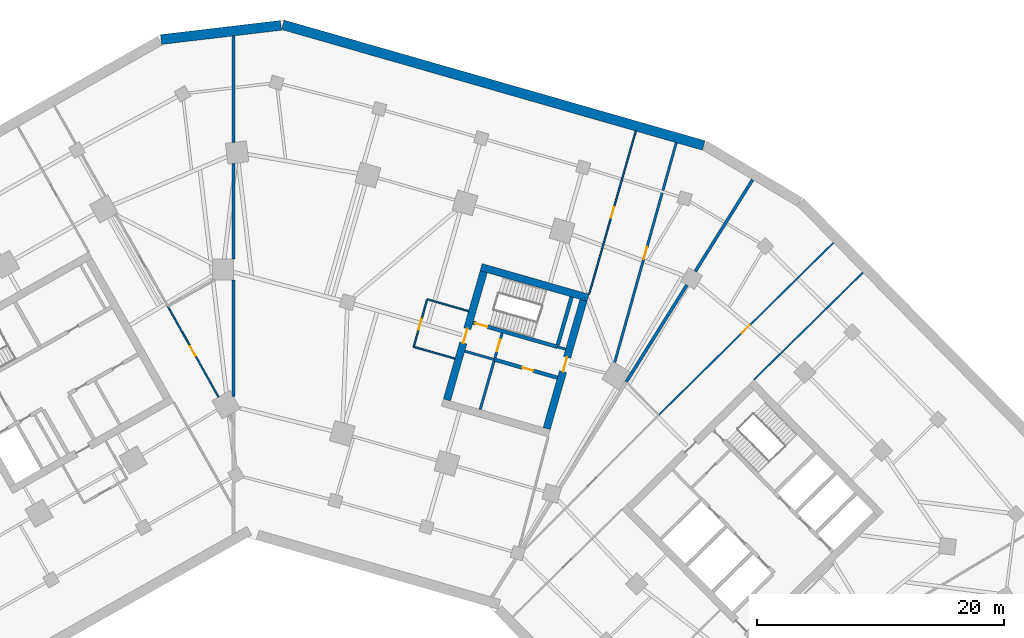
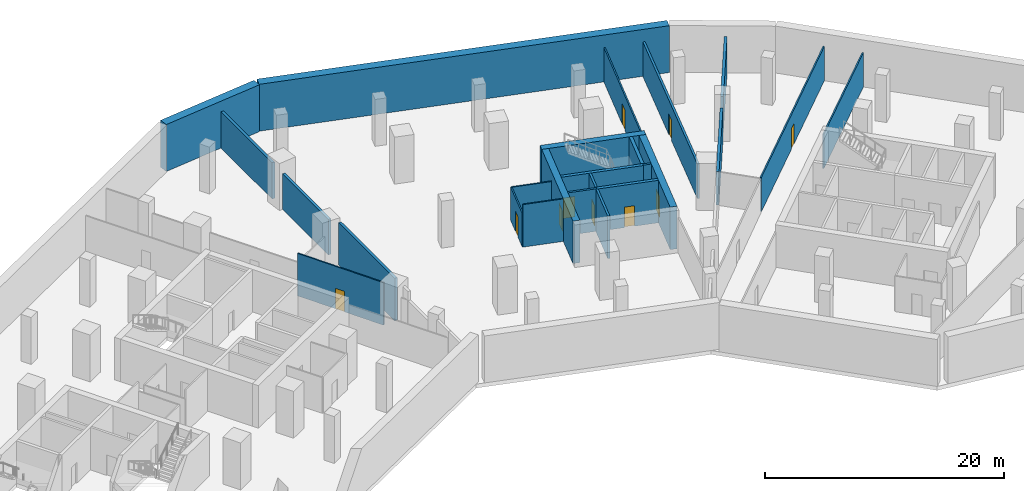
# One storey, part 10 of 13: 25 walls, 10 doors, 10 openings.
"""IFC4 building model written with IfcOpenShell, lengths in metres."""

from ifc_helpers import new_model, si_unit, direction, frame, frame_2d, origin, place, context, subcontext, project, spatial, rectangle, extrude, material, layer, layer_set, type_object, element, fill, save


model = new_model("IFC4")

# Units and contexts
model_context = context("Model", 3, precision=1e-05, world=origin(), true_north=direction((0.0, 1.0)))
body_context = subcontext(model_context, "Body", "Model", "MODEL_VIEW")
ifc_project = project(units=[si_unit("LENGTHUNIT", "METRE"), si_unit("AREAUNIT", "SQUARE_METRE"), si_unit("VOLUMEUNIT", "CUBIC_METRE"), si_unit("PLANEANGLEUNIT", "RADIAN"), si_unit("MASSUNIT", "GRAM", prefix="KILO")], contexts=[model_context])

# Site, building, storey
site_placement = place(None, origin())
site = spatial("IfcSite", under=ifc_project, at=site_placement, CompositionType="ELEMENT")
building_placement = place(site_placement, origin())
building = spatial("IfcBuilding", under=site, at=building_placement, Name="Binnacle Exchange Tower", CompositionType="ELEMENT")
storey_placement = place(building_placement, frame((0.0, 0.0, -4.800048828125)))
storey = spatial("IfcBuildingStorey", under=building, at=storey_placement, Name="B1", CompositionType="ELEMENT", Elevation=-4.800048828125)

# Walls
ifc_material_1 = material(Name="Concrete C40/50", Category="concrete")
ifc_layer_1 = layer(ifc_material_1, 0.800048828125)
ifc_layer_set_1 = layer_set([ifc_layer_1], Name="Basement retaining wall 800 Concrete C40/50")
wall_type_1 = type_object("IfcWallType", Name="Basement retaining wall 800 Concrete C40/50", PredefinedType="SOLIDWALL", material=ifc_layer_set_1)
wall_1_placement = place(storey_placement, frame((38.06201171875, 70.032470703125, 0.0), z_axis=(0.0, 0.0, 1.0), x_axis=(-0.961260654426, 0.275640987977, 0.0)))
element("IfcWall", 1, at=wall_1_placement, inside=storey, type_object=wall_type_1, Name="S:RW:B1:02", PredefinedType="SOLIDWALL", context=body_context, shape_type="SweptSolid", body=[
    extrude(rectangle(XDim=35.43505859375, YDim=0.800048828125, at=frame_2d((17.717529296875, 0.0))), origin(), (0.0, 0.0, 1.0), 4.800048828125),
])
wall_2_placement = place(storey_placement, frame((3.848388671875, 79.752685546875, 0.0), z_axis=(0.0, 0.0, 1.0), x_axis=(-0.993067076287, -0.117549062072, 0.0)))
element("IfcWall", 2, at=wall_2_placement, inside=storey, type_object=wall_type_1, Name="S:RW:B1:03", PredefinedType="SOLIDWALL", context=body_context, shape_type="SweptSolid", body=[
    extrude(rectangle(XDim=9.765625, YDim=0.800048828125, at=frame_2d((4.8828125, 0.0))), origin(), (0.0, 0.0, 1.0), 4.800048828125),
])

# Wall, opening, door
ifc_material_2 = material(Name="Concrete C70/85", Category="concrete")
ifc_layer_2 = layer(ifc_material_2, 0.300048828125)
ifc_layer_set_2 = layer_set([ifc_layer_2], Name="Core wall - front 300")
wall_type_2 = type_object("IfcWallType", Name="Core wall - front 300", PredefinedType="SOLIDWALL", material=ifc_layer_set_2)
wall_3_placement = place(storey_placement, frame((21.130859375, 52.6923828125, 0.0), z_axis=(0.0, 0.0, 1.0), x_axis=(0.961271492568, -0.275603188616, 0.0)))
wall_3 = element("IfcWall", 3, at=wall_3_placement, inside=storey, type_object=wall_type_2, Name="Core wall CRWD3", PredefinedType="SOLIDWALL", context=body_context, shape_type="SweptSolid", body=[
    extrude(rectangle(XDim=5.300048828125, YDim=0.300048828125, at=frame_2d((2.64990234375, 0.0))), origin(), (0.0, 0.0, 1.0), 4.35009765625),
])
opening_1_placement = place(wall_3_placement, frame((2.35009765625, 0.0, 0.0)))
opening_1 = element("IfcOpeningElement", 4, at=opening_1_placement, cuts=wall_3, Name="Opening DD10", PredefinedType="OPENING", context=body_context, shape_type="SweptSolid", body=[
    extrude(rectangle(XDim=0.89990234375, YDim=2.10009765625, at=frame_2d((0.449951171875, 1.050048828125))), frame((0.0, 0.159912109375, 0.0), z_axis=(0.0, -1.0, 0.0), x_axis=(1.0, 0.0, 0.0)), (0.0, 0.0, 1.0), 0.320068359375),
])
ifc_material_3 = material(Name="Steel door leaf", Category="steel")
door_type_1 = type_object("IfcDoorType", Name="Fire door 900", OperationType="NOTDEFINED", PredefinedType="DOOR", material=ifc_material_3)
door_1_placement = place(opening_1_placement, frame((0.89990234375, 0.0, 0.0), z_axis=(0.0, 0.0, 1.0), x_axis=(-1.0, 0.0, 0.0)))
door_1 = element("IfcDoor", 5, at=door_1_placement, inside=storey, type_object=door_type_1, Name="Core room door PANTRY", OperationType="SINGLE_SWING_LEFT", OverallHeight=2.10009765625, OverallWidth=0.89990234375, PredefinedType="DOOR", context=body_context, shape_type="SweptSolid", body=[
    extrude(rectangle(XDim=0.89990234375, YDim=2.10009765625, at=frame_2d((0.449951171875, 1.050048828125))), frame((0.0, 0.02490234375, 0.0), z_axis=(0.0, -1.0, 0.0), x_axis=(1.0, 0.0, 0.0)), (0.0, 0.0, 1.0), 0.050048828125),
])
fill(opening_1, door_1)

# Wall
ifc_layer_3 = layer(ifc_material_2, 0.60009765625)
ifc_layer_set_3 = layer_set([ifc_layer_3], Name="Core wall - outer 600")
wall_type_3 = type_object("IfcWallType", Name="Core wall - outer 600", PredefinedType="SOLIDWALL", material=ifc_layer_set_3)
wall_4_placement = place(storey_placement, frame((20.052734375, 60.1796875, 0.0), z_axis=(0.0, 0.0, 1.0), x_axis=(0.96126248289, -0.275634611374, 0.0)))
element("IfcWall", 6, at=wall_4_placement, inside=storey, type_object=wall_type_3, Name="Core wall CRWD6", PredefinedType="SOLIDWALL", context=body_context, shape_type="SweptSolid", body=[
    extrude(rectangle(XDim=9.0, YDim=0.60009765625, at=frame_2d((4.5, 0.0))), origin(), (0.0, 0.0, 1.0), 4.35009765625),
])

# Wall, opening, door
wall_5_placement = place(storey_placement, frame((17.28173828125, 49.427001953125, 0.0), z_axis=(0.0, 0.0, 1.0), x_axis=(0.275631631629, 0.961263337304, 0.0)))
wall_5 = element("IfcWall", 7, at=wall_5_placement, inside=storey, type_object=wall_type_3, Name="Core wall CRWD7", PredefinedType="SOLIDWALL", context=body_context, shape_type="SweptSolid", body=[
    extrude(rectangle(XDim=10.800048828125, YDim=0.60009765625, at=frame_2d((5.39990234375, 0.0))), origin(), (0.0, 0.0, 1.0), 4.35009765625),
])
opening_2_placement = place(wall_5_placement, frame((4.800048828125, 0.0, 0.0)))
opening_2 = element("IfcOpeningElement", 8, at=opening_2_placement, cuts=wall_5, Name="Opening DD5", PredefinedType="OPENING", context=body_context, shape_type="SweptSolid", body=[
    extrude(rectangle(XDim=1.199951171875, YDim=2.10009765625, at=frame_2d((0.60009765625, 1.050048828125))), frame((0.0, 0.31005859375, 0.0), z_axis=(0.0, -1.0, 0.0), x_axis=(1.0, 0.0, 0.0)), (0.0, 0.0, 1.0), 0.6201171875),
])
door_type_2 = type_object("IfcDoorType", Name="Fire door 1200", OperationType="NOTDEFINED", PredefinedType="DOOR", material=ifc_material_3)
door_2_placement = place(opening_2_placement, origin())
door_2 = element("IfcDoor", 9, at=door_2_placement, inside=storey, type_object=door_type_2, Name="Vestibule exit door VEST-W", OperationType="SINGLE_SWING_RIGHT", OverallHeight=2.10009765625, OverallWidth=1.199951171875, PredefinedType="DOOR", context=body_context, shape_type="SweptSolid", body=[
    extrude(rectangle(XDim=1.199951171875, YDim=2.10009765625, at=frame_2d((0.60009765625, 1.050048828125))), frame((0.0, 0.02490234375, 0.0), z_axis=(0.0, -1.0, 0.0), x_axis=(1.0, 0.0, 0.0)), (0.0, 0.0, 1.0), 0.050048828125),
])
fill(opening_2, door_2)

wall_6_placement = place(storey_placement, frame((25.356201171875, 47.111572265625, 0.0), z_axis=(0.0, 0.0, 1.0), x_axis=(0.275631631629, 0.961263337304, 0.0)))
wall_6 = element("IfcWall", 10, at=wall_6_placement, inside=storey, type_object=wall_type_3, Name="Core wall CRWD12", PredefinedType="SOLIDWALL", context=body_context, shape_type="SweptSolid", body=[
    extrude(rectangle(XDim=10.800048828125, YDim=0.60009765625, at=frame_2d((5.39990234375, 0.0))), origin(), (0.0, 0.0, 1.0), 4.35009765625),
])
opening_3_placement = place(wall_6_placement, frame((4.800048828125, 0.0, 0.0)))
opening_3 = element("IfcOpeningElement", 11, at=opening_3_placement, cuts=wall_6, Name="Opening DD6", PredefinedType="OPENING", context=body_context, shape_type="SweptSolid", body=[
    extrude(rectangle(XDim=1.199951171875, YDim=2.10009765625, at=frame_2d((0.60009765625, 1.050048828125))), frame((0.0, 0.31005859375, 0.0), z_axis=(0.0, -1.0, 0.0), x_axis=(1.0, 0.0, 0.0)), (0.0, 0.0, 1.0), 0.6201171875),
])
door_3_placement = place(opening_3_placement, frame((1.199951171875, 0.0, 0.0), z_axis=(0.0, 0.0, 1.0), x_axis=(-1.0, 0.0, 0.0)))
door_3 = element("IfcDoor", 12, at=door_3_placement, inside=storey, type_object=door_type_2, Name="Core passage exit door", OperationType="SINGLE_SWING_LEFT", OverallHeight=2.10009765625, OverallWidth=1.199951171875, PredefinedType="DOOR", context=body_context, shape_type="SweptSolid", body=[
    extrude(rectangle(XDim=1.199951171875, YDim=2.10009765625, at=frame_2d((0.60009765625, 1.050048828125))), frame((0.0, 0.02490234375, 0.0), z_axis=(0.0, -1.0, 0.0), x_axis=(1.0, 0.0, 0.0)), (0.0, 0.0, 1.0), 0.050048828125),
])
fill(opening_3, door_3)

ifc_layer_4 = layer(ifc_material_2, 0.300048828125)
ifc_layer_set_4 = layer_set([ifc_layer_4], Name="Core wall - stair 300")
wall_type_4 = type_object("IfcWallType", Name="Core wall - stair 300", PredefinedType="SOLIDWALL", material=ifc_layer_set_4)
wall_7_placement = place(storey_placement, frame((19.38916015625, 55.688720703125, 0.0), z_axis=(0.0, 0.0, 1.0), x_axis=(0.961261397636, -0.275638396117, 0.0)))
wall_7 = element("IfcWall", 13, at=wall_7_placement, inside=storey, type_object=wall_type_4, Name="Core wall CRWD4", PredefinedType="SOLIDWALL", context=body_context, shape_type="SweptSolid", body=[
    extrude(rectangle(XDim=7.10009765625, YDim=0.300048828125, at=frame_2d((3.550048828125, 0.0))), origin(), (0.0, 0.0, 1.0), 4.35009765625),
])
opening_4_placement = place(wall_7_placement, frame((0.199951171875, 0.0, 0.0)))
opening_4 = element("IfcOpeningElement", 14, at=opening_4_placement, cuts=wall_7, Name="Opening DD1", PredefinedType="OPENING", context=body_context, shape_type="SweptSolid", body=[
    extrude(rectangle(XDim=1.0, YDim=2.10009765625, at=frame_2d((0.5, 1.050048828125))), frame((0.0, 0.159912109375, 0.0), z_axis=(0.0, -1.0, 0.0), x_axis=(1.0, 0.0, 0.0)), (0.0, 0.0, 1.0), 0.320068359375),
])
door_type_3 = type_object("IfcDoorType", Name="Fire door 1000", OperationType="NOTDEFINED", PredefinedType="DOOR", material=ifc_material_3)
door_4_placement = place(opening_4_placement, origin())
door_4 = element("IfcDoor", 15, at=door_4_placement, inside=storey, type_object=door_type_3, Name="Stair door ST-D1", OperationType="SINGLE_SWING_LEFT", OverallHeight=2.10009765625, OverallWidth=1.0, PredefinedType="DOOR", context=body_context, shape_type="SweptSolid", body=[
    extrude(rectangle(XDim=1.0, YDim=2.10009765625, at=frame_2d((0.5, 1.050048828125))), frame((0.0, 0.02490234375, 0.0), z_axis=(0.0, -1.0, 0.0), x_axis=(1.0, 0.0, 0.0)), (0.0, 0.0, 1.0), 0.050048828125),
])
fill(opening_4, door_4)

# Wall
wall_8_placement = place(storey_placement, frame((26.255615234375, 53.875732421875, 0.0), z_axis=(0.0, 0.0, 1.0), x_axis=(0.275612739511, 0.961268754209, 0.0)))
element("IfcWall", 16, at=wall_8_placement, inside=storey, type_object=wall_type_4, Name="Core wall CRWD11", PredefinedType="SOLIDWALL", context=body_context, shape_type="SweptSolid", body=[
    extrude(rectangle(XDim=4.0498046875, YDim=0.300048828125, at=frame_2d((2.02490234375, 0.0))), origin(), (0.0, 0.0, 1.0), 4.35009765625),
])

# Wall, opening, door
ifc_material_4 = material(Name="Masonry block wall", Category="masonry")
ifc_layer_5 = layer(ifc_material_4, 0.199951171875)
ifc_layer_set_5 = layer_set([ifc_layer_5], Name="Fire wall - block 200")
wall_type_5 = type_object("IfcWallType", Name="Fire wall - block 200", PredefinedType="PARTITIONING", material=ifc_layer_set_5)
wall_9_placement = place(storey_placement, frame((30.862060546875, 52.468017578125, 0.0), z_axis=(0.0, 0.0, 1.0), x_axis=(0.269850069582, 0.962902352238, 0.0)))
wall_9 = element("IfcWall", 17, at=wall_9_placement, inside=storey, type_object=wall_type_5, Name="Partition W52", PredefinedType="PARTITIONING", context=body_context, shape_type="SweptSolid", body=[
    extrude(rectangle(XDim=18.468994140625, YDim=0.199951171875, at=frame_2d((9.234375, 0.0))), origin(), (0.0, 0.0, 1.0), 3.530029296875),
])
opening_5_placement = place(wall_9_placement, frame((8.699951171875, 0.0, 0.0)))
opening_5 = element("IfcOpeningElement", 18, at=opening_5_placement, cuts=wall_9, Name="Opening DB1-13", PredefinedType="OPENING", context=body_context, shape_type="SweptSolid", body=[
    extrude(rectangle(XDim=1.0, YDim=2.10009765625, at=frame_2d((0.5, 1.050048828125))), frame((0.0, 0.10986328125, 0.0), z_axis=(0.0, -1.0, 0.0), x_axis=(1.0, 0.0, 0.0)), (0.0, 0.0, 1.0), 0.219970703125),
])
door_5_placement = place(opening_5_placement, frame((1.0, 0.0, 0.0), z_axis=(0.0, 0.0, 1.0), x_axis=(-1.0, 0.0, 0.0)))
door_5 = element("IfcDoor", 19, at=door_5_placement, inside=storey, type_object=door_type_3, Name="Door DB1-13", OperationType="SINGLE_SWING_RIGHT", OverallHeight=2.10009765625, OverallWidth=1.0, PredefinedType="DOOR", context=body_context, shape_type="SweptSolid", body=[
    extrude(rectangle(XDim=1.0, YDim=2.10009765625, at=frame_2d((0.5, 1.050048828125))), frame((0.0, 0.02490234375, 0.0), z_axis=(0.0, -1.0, 0.0), x_axis=(1.0, 0.0, 0.0)), (0.0, 0.0, 1.0), 0.050048828125),
])
fill(opening_5, door_5)

# Walls
ifc_material_5 = material(Name="Concrete fire wall C30/37", Category="concrete")
ifc_layer_6 = layer(ifc_material_5, 0.25)
ifc_layer_set_6 = layer_set([ifc_layer_6], Name="Fire wall - compartment 250")
wall_type_6 = type_object("IfcWallType", Name="Fire wall - compartment 250", PredefinedType="PARTITIONING", material=ifc_layer_set_6)
wall_10_placement = place(storey_placement, frame((0.0, 49.72607421875, 0.0), z_axis=(0.0, 0.0, 1.0), x_axis=(0.0, 1.0, 0.0)))
element("IfcWall", 20, at=wall_10_placement, inside=storey, type_object=wall_type_6, Name="Fire Wall W39", PredefinedType="PARTITIONING", context=body_context, shape_type="SweptSolid", body=[
    extrude(rectangle(XDim=9.423828125, YDim=0.25, at=frame_2d((4.7119140625, 0.0))), origin(), (0.0, 0.0, 1.0), 4.35009765625),
])
wall_11_placement = place(storey_placement, frame((0.0, 60.85009765625, 0.0), z_axis=(0.0, 0.0, 1.0), x_axis=(0.0, 1.0, 0.0)))
element("IfcWall", 21, at=wall_11_placement, inside=storey, type_object=wall_type_6, Name="Fire Wall W40", PredefinedType="PARTITIONING", context=body_context, shape_type="SweptSolid", body=[
    extrude(rectangle(XDim=7.722900390625, YDim=0.25, at=frame_2d((3.861328125, 0.0))), origin(), (0.0, 0.0, 1.0), 3.630126953125),
])
wall_12_placement = place(storey_placement, frame((0.0, 70.284912109375, 0.0), z_axis=(0.0, 0.0, 1.0), x_axis=(0.0, 1.0, 0.0)))
element("IfcWall", 22, at=wall_12_placement, inside=storey, type_object=wall_type_6, Name="Fire Wall W41", PredefinedType="PARTITIONING", context=body_context, shape_type="SweptSolid", body=[
    extrude(rectangle(XDim=8.609130859375, YDim=0.25, at=frame_2d((4.3046875, 0.0))), origin(), (0.0, 0.0, 1.0), 3.718017578125),
])
wall_13_placement = place(storey_placement, frame((31.794921875, 50.883056640625, 0.0), z_axis=(0.0, 0.0, 1.0), x_axis=(0.529939676421, 0.848035340864, 0.0)))
element("IfcWall", 23, at=wall_13_placement, inside=storey, type_object=wall_type_6, Name="Fire Wall W54", PredefinedType="PARTITIONING", context=body_context, shape_type="SweptSolid", body=[
    extrude(rectangle(XDim=9.257568359375, YDim=0.25, at=frame_2d((4.62890625, 0.0))), origin(), (0.0, 0.0, 1.0), 3.41796875),
])
wall_14_placement = place(storey_placement, frame((37.389892578125, 59.8369140625, 0.0), z_axis=(0.0, 0.0, 1.0), x_axis=(0.529946283542, 0.84803121202, 0.0)))
element("IfcWall", 24, at=wall_14_placement, inside=storey, type_object=wall_type_6, Name="Fire Wall W59", PredefinedType="PARTITIONING", context=body_context, shape_type="SweptSolid", body=[
    extrude(rectangle(XDim=8.752197265625, YDim=0.25, at=frame_2d((4.3759765625, 0.0))), origin(), (0.0, 0.0, 1.0), 3.718017578125),
])

# Wall, opening, door
ifc_layer_7 = layer(ifc_material_4, 0.199951171875)
ifc_layer_set_7 = layer_set([ifc_layer_7], Name="Fire wall - vestibule 200")
wall_type_7 = type_object("IfcWallType", Name="Fire wall - vestibule 200", PredefinedType="PARTITIONING", material=ifc_layer_set_7)
wall_15_placement = place(storey_placement, frame((21.172119140625, 52.836669921875, 0.0), z_axis=(0.0, 0.0, 1.0), x_axis=(0.275657676022, 0.961255868981, 0.0)))
wall_15 = element("IfcWall", 25, at=wall_15_placement, inside=storey, type_object=wall_type_7, Name="Core wall CRWD9", PredefinedType="PARTITIONING", context=body_context, shape_type="SweptSolid", body=[
    extrude(rectangle(XDim=2.099853515625, YDim=0.199951171875, at=frame_2d((1.0498046875, 0.0))), origin(), (0.0, 0.0, 1.0), 4.35009765625),
])
opening_6_placement = place(wall_15_placement, frame((0.550048828125, 0.0, 0.0)))
opening_6 = element("IfcOpeningElement", 26, at=opening_6_placement, cuts=wall_15, Name="Opening DD3", PredefinedType="OPENING", context=body_context, shape_type="SweptSolid", body=[
    extrude(rectangle(XDim=1.0, YDim=2.10009765625, at=frame_2d((0.5, 1.050048828125))), frame((0.0, 0.10986328125, 0.0), z_axis=(0.0, -1.0, 0.0), x_axis=(1.0, 0.0, 0.0)), (0.0, 0.0, 1.0), 0.219970703125),
])
door_6_placement = place(opening_6_placement, origin())
door_6 = element("IfcDoor", 27, at=door_6_placement, inside=storey, type_object=door_type_3, Name="Vestibule door VEST-W", OperationType="SINGLE_SWING_RIGHT", OverallHeight=2.10009765625, OverallWidth=1.0, PredefinedType="DOOR", context=body_context, shape_type="SweptSolid", body=[
    extrude(rectangle(XDim=1.0, YDim=2.10009765625, at=frame_2d((0.5, 1.050048828125))), frame((0.0, 0.02490234375, 0.0), z_axis=(0.0, -1.0, 0.0), x_axis=(1.0, 0.0, 0.0)), (0.0, 0.0, 1.0), 0.050048828125),
])
fill(opening_6, door_6)

ifc_material_6 = material(Name="Gypsum partition")
ifc_layer_8 = layer(ifc_material_6, 0.125)
ifc_layer_set_8 = layer_set([ifc_layer_8], Name="Partition 125")
wall_type_8 = type_object("IfcWallType", Name="Partition 125", PredefinedType="PARTITIONING", material=ifc_layer_set_8)
wall_16_placement = place(storey_placement, frame((-5.301025390625, 57.0009765625, 0.0), z_axis=(0.0, 0.0, 1.0), x_axis=(0.487215056149, -0.873282021492, 0.0)))
wall_16 = element("IfcWall", 28, at=wall_16_placement, inside=storey, type_object=wall_type_8, Name="Partition W32", PredefinedType="PARTITIONING", context=body_context, shape_type="SweptSolid", body=[
    extrude(rectangle(XDim=8.394775390625, YDim=0.125, at=frame_2d((4.197265625, 0.0))), origin(), (0.0, 0.0, 1.0), 4.35009765625),
])
opening_7_placement = place(wall_16_placement, frame((3.699951171875, 0.0, 0.0)))
opening_7 = element("IfcOpeningElement", 29, at=opening_7_placement, cuts=wall_16, Name="Opening DB1-10", PredefinedType="OPENING", context=body_context, shape_type="SweptSolid", body=[
    extrude(rectangle(XDim=0.89990234375, YDim=2.10009765625, at=frame_2d((0.449951171875, 1.050048828125))), frame((0.0, 0.072509765625, 0.0), z_axis=(0.0, -1.0, 0.0), x_axis=(1.0, 0.0, 0.0)), (0.0, 0.0, 1.0), 0.14501953125),
])
ifc_material_7 = material(Name="Timber door leaf", Category="wood")
door_type_4 = type_object("IfcDoorType", Name="Door 900", OperationType="NOTDEFINED", PredefinedType="DOOR", material=ifc_material_7)
door_7_placement = place(opening_7_placement, origin())
door_7 = element("IfcDoor", 30, at=door_7_placement, inside=storey, type_object=door_type_4, Name="Door DB1-10", OperationType="SINGLE_SWING_LEFT", OverallHeight=2.10009765625, OverallWidth=0.89990234375, PredefinedType="DOOR", context=body_context, shape_type="SweptSolid", body=[
    extrude(rectangle(XDim=0.89990234375, YDim=2.10009765625, at=frame_2d((0.449951171875, 1.050048828125))), frame((0.0, 0.02490234375, 0.0), z_axis=(0.0, -1.0, 0.0), x_axis=(1.0, 0.0, 0.0)), (0.0, 0.0, 1.0), 0.050048828125),
])
fill(opening_7, door_7)

wall_17_placement = place(storey_placement, frame((14.589111328125, 53.736083984375, 0.0), z_axis=(0.0, 0.0, 1.0), x_axis=(0.275470792429, 0.961309441605, 0.0)))
wall_17 = element("IfcWall", 31, at=wall_17_placement, inside=storey, type_object=wall_type_8, Name="Partition W42", PredefinedType="PARTITIONING", context=body_context, shape_type="SweptSolid", body=[
    extrude(rectangle(XDim=3.999755859375, YDim=0.125, at=frame_2d((2.0, 0.0))), origin(), (0.0, 0.0, 1.0), 3.412109375),
])
opening_8_placement = place(wall_17_placement, frame((1.449951171875, 0.0, 0.0)))
opening_8 = element("IfcOpeningElement", 32, at=opening_8_placement, cuts=wall_17, Name="Opening DB1-11", PredefinedType="OPENING", context=body_context, shape_type="SweptSolid", body=[
    extrude(rectangle(XDim=0.89990234375, YDim=2.10009765625, at=frame_2d((0.449951171875, 1.050048828125))), frame((0.0, 0.072509765625, 0.0), z_axis=(0.0, -1.0, 0.0), x_axis=(1.0, 0.0, 0.0)), (0.0, 0.0, 1.0), 0.14501953125),
])
door_8_placement = place(opening_8_placement, frame((0.89990234375, 0.0, 0.0), z_axis=(0.0, 0.0, 1.0), x_axis=(-1.0, 0.0, 0.0)))
door_8 = element("IfcDoor", 33, at=door_8_placement, inside=storey, type_object=door_type_4, Name="Door DB1-11", OperationType="SINGLE_SWING_RIGHT", OverallHeight=2.10009765625, OverallWidth=0.89990234375, PredefinedType="DOOR", context=body_context, shape_type="SweptSolid", body=[
    extrude(rectangle(XDim=0.89990234375, YDim=2.10009765625, at=frame_2d((0.449951171875, 1.050048828125))), frame((0.0, 0.02490234375, 0.0), z_axis=(0.0, -1.0, 0.0), x_axis=(1.0, 0.0, 0.0)), (0.0, 0.0, 1.0), 0.050048828125),
])
fill(opening_8, door_8)

# Walls
wall_18_placement = place(storey_placement, frame((14.589111328125, 53.736083984375, 0.0), z_axis=(0.0, 0.0, 1.0), x_axis=(0.961258417425, -0.275648789095, 0.0)))
element("IfcWall", 34, at=wall_18_placement, inside=storey, type_object=wall_type_8, Name="Partition W43", PredefinedType="PARTITIONING", context=body_context, shape_type="SweptSolid", body=[
    extrude(rectangle(XDim=3.4755859375, YDim=0.125, at=frame_2d((1.73779296875, 0.0))), origin(), (0.0, 0.0, 1.0), 4.35009765625),
])
wall_19_placement = place(storey_placement, frame((15.69091796875, 57.5810546875, 0.0), z_axis=(0.0, 0.0, 1.0), x_axis=(0.9612850915, -0.275555752725, 0.0)))
element("IfcWall", 35, at=wall_19_placement, inside=storey, type_object=wall_type_8, Name="Partition W44", PredefinedType="PARTITIONING", context=body_context, shape_type="SweptSolid", body=[
    extrude(rectangle(XDim=3.4765625, YDim=0.125, at=frame_2d((1.73828125, 0.0))), origin(), (0.0, 0.0, 1.0), 3.412109375),
])

# Wall, opening, door
wall_20_placement = place(storey_placement, frame((28.787109375, 57.987060546875, 0.0), z_axis=(0.0, 0.0, 1.0), x_axis=(0.27563893724, 0.961261242471, 0.0)))
wall_20 = element("IfcWall", 36, at=wall_20_placement, inside=storey, type_object=wall_type_8, Name="Partition W51", PredefinedType="PARTITIONING", context=body_context, shape_type="SweptSolid", body=[
    extrude(rectangle(XDim=13.73486328125, YDim=0.125, at=frame_2d((6.867431640625, 0.0))), origin(), (0.0, 0.0, 1.0), 3.530029296875),
])
opening_9_placement = place(wall_20_placement, frame((6.449951171875, 0.0, 0.0)))
opening_9 = element("IfcOpeningElement", 37, at=opening_9_placement, cuts=wall_20, Name="Opening DB1-12", PredefinedType="OPENING", context=body_context, shape_type="SweptSolid", body=[
    extrude(rectangle(XDim=0.89990234375, YDim=2.10009765625, at=frame_2d((0.449951171875, 1.050048828125))), frame((0.0, 0.072509765625, 0.0), z_axis=(0.0, -1.0, 0.0), x_axis=(1.0, 0.0, 0.0)), (0.0, 0.0, 1.0), 0.14501953125),
])
door_9_placement = place(opening_9_placement, frame((0.89990234375, 0.0, 0.0), z_axis=(0.0, 0.0, 1.0), x_axis=(-1.0, 0.0, 0.0)))
door_9 = element("IfcDoor", 38, at=door_9_placement, inside=storey, type_object=door_type_4, Name="Door DB1-12", OperationType="SINGLE_SWING_LEFT", OverallHeight=2.10009765625, OverallWidth=0.89990234375, PredefinedType="DOOR", context=body_context, shape_type="SweptSolid", body=[
    extrude(rectangle(XDim=0.89990234375, YDim=2.10009765625, at=frame_2d((0.449951171875, 1.050048828125))), frame((0.0, 0.02490234375, 0.0), z_axis=(0.0, -1.0, 0.0), x_axis=(1.0, 0.0, 0.0)), (0.0, 0.0, 1.0), 0.050048828125),
])
fill(opening_9, door_9)

wall_21_placement = place(storey_placement, frame((34.424072265625, 48.2080078125, 0.0), z_axis=(0.0, 0.0, 1.0), x_axis=(0.711998848244, 0.702180632102, 0.0)))
wall_21 = element("IfcWall", 39, at=wall_21_placement, inside=storey, type_object=wall_type_8, Name="Partition W56", PredefinedType="PARTITIONING", context=body_context, shape_type="SweptSolid", body=[
    extrude(rectangle(XDim=19.867919921875, YDim=0.125, at=frame_2d((9.93408203125, 0.0))), origin(), (0.0, 0.0, 1.0), 3.52197265625),
])
opening_10_placement = place(wall_21_placement, frame((9.449951171875, 0.0, 0.0)))
opening_10 = element("IfcOpeningElement", 40, at=opening_10_placement, cuts=wall_21, Name="Opening DB1-16", PredefinedType="OPENING", context=body_context, shape_type="SweptSolid", body=[
    extrude(rectangle(XDim=0.89990234375, YDim=2.10009765625, at=frame_2d((0.449951171875, 1.050048828125))), frame((0.0, 0.072509765625, 0.0), z_axis=(0.0, -1.0, 0.0), x_axis=(1.0, 0.0, 0.0)), (0.0, 0.0, 1.0), 0.14501953125),
])
door_10_placement = place(opening_10_placement, origin())
door_10 = element("IfcDoor", 41, at=door_10_placement, inside=storey, type_object=door_type_4, Name="Door DB1-16", OperationType="SINGLE_SWING_LEFT", OverallHeight=2.10009765625, OverallWidth=0.89990234375, PredefinedType="DOOR", context=body_context, shape_type="SweptSolid", body=[
    extrude(rectangle(XDim=0.89990234375, YDim=2.10009765625, at=frame_2d((0.449951171875, 1.050048828125))), frame((0.0, 0.02490234375, 0.0), z_axis=(0.0, -1.0, 0.0), x_axis=(1.0, 0.0, 0.0)), (0.0, 0.0, 1.0), 0.050048828125),
])
fill(opening_10, door_10)

# Walls
wall_22_placement = place(storey_placement, frame((42.1298828125, 51.06591796875, 0.0), z_axis=(0.0, 0.0, 1.0), x_axis=(0.713258003964, 0.700901576387, 0.0)))
element("IfcWall", 42, at=wall_22_placement, inside=storey, type_object=wall_type_8, Name="Partition W62", PredefinedType="PARTITIONING", context=body_context, shape_type="SweptSolid", body=[
    extrude(rectangle(XDim=12.36865234375, YDim=0.125, at=frame_2d((6.184326171875, 0.0))), origin(), (0.0, 0.0, 1.0), 3.52197265625),
])
ifc_layer_9 = layer(ifc_material_4, 0.199951171875)
ifc_layer_set_9 = layer_set([ifc_layer_9], Name="Riser wall 200")
wall_type_9 = type_object("IfcWallType", Name="Riser wall 200", PredefinedType="SOLIDWALL", material=ifc_layer_set_9)
wall_23_placement = place(storey_placement, frame((18.727783203125, 53.381591796875, 0.0), z_axis=(0.0, 0.0, 1.0), x_axis=(0.961247070632, -0.275688355216, 0.0)))
element("IfcWall", 43, at=wall_23_placement, inside=storey, type_object=wall_type_9, Name="Core wall CRWD2", PredefinedType="SOLIDWALL", context=body_context, shape_type="SweptSolid", body=[
    extrude(rectangle(XDim=2.5, YDim=0.199951171875, at=frame_2d((1.25, 0.0))), origin(), (0.0, 0.0, 1.0), 4.35009765625),
])
wall_24_placement = place(storey_placement, frame((26.214111328125, 53.731689453125, 0.0), z_axis=(0.0, 0.0, 1.0), x_axis=(0.96122076476, -0.27578005982, 0.0)))
element("IfcWall", 44, at=wall_24_placement, inside=storey, type_object=wall_type_9, Name="Core wall CRWD5", PredefinedType="SOLIDWALL", context=body_context, shape_type="SweptSolid", body=[
    extrude(rectangle(XDim=0.7001953125, YDim=0.199951171875, at=frame_2d((0.35009765625, 0.0))), origin(), (0.0, 0.0, 1.0), 4.35009765625),
])
wall_25_placement = place(storey_placement, frame((19.97314453125, 48.6552734375, 0.0), z_axis=(0.0, 0.0, 1.0), x_axis=(0.275668441653, 0.961252781674, 0.0)))
element("IfcWall", 45, at=wall_25_placement, inside=storey, type_object=wall_type_9, Name="Core wall CRWD8", PredefinedType="SOLIDWALL", context=body_context, shape_type="SweptSolid", body=[
    extrude(rectangle(XDim=4.050048828125, YDim=0.199951171875, at=frame_2d((2.02490234375, 0.0))), origin(), (0.0, 0.0, 1.0), 4.35009765625),
])

save(model, "model.ifc")
